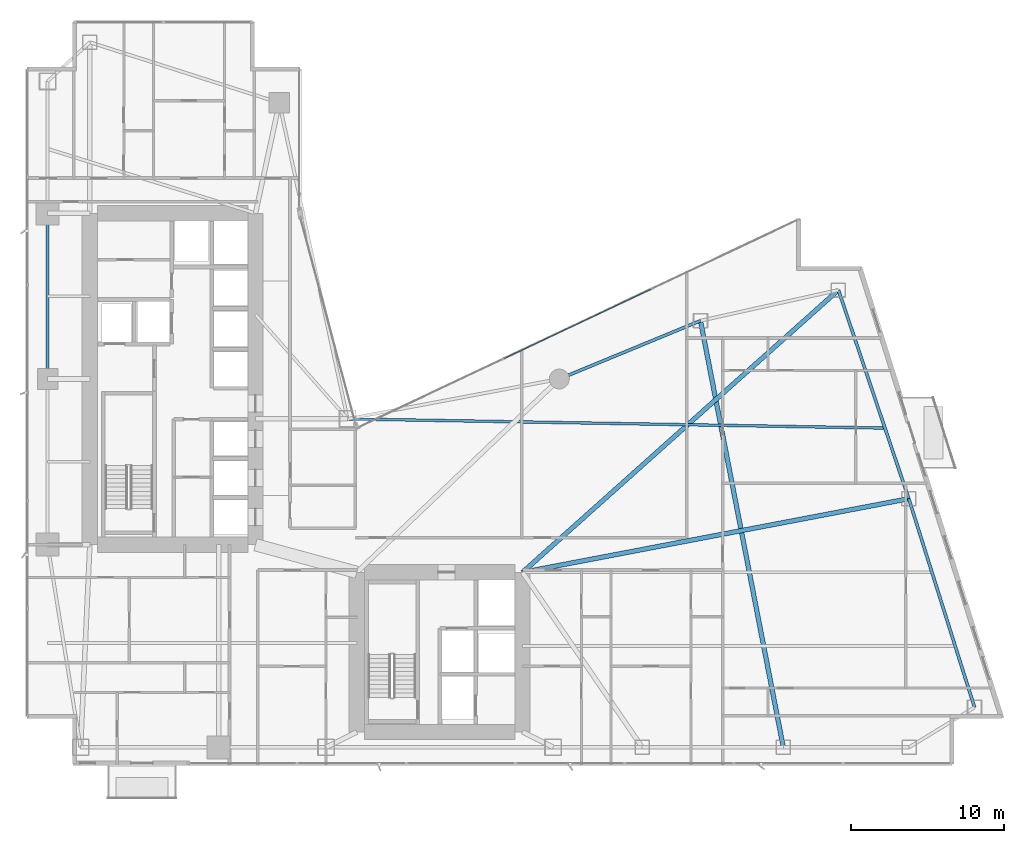
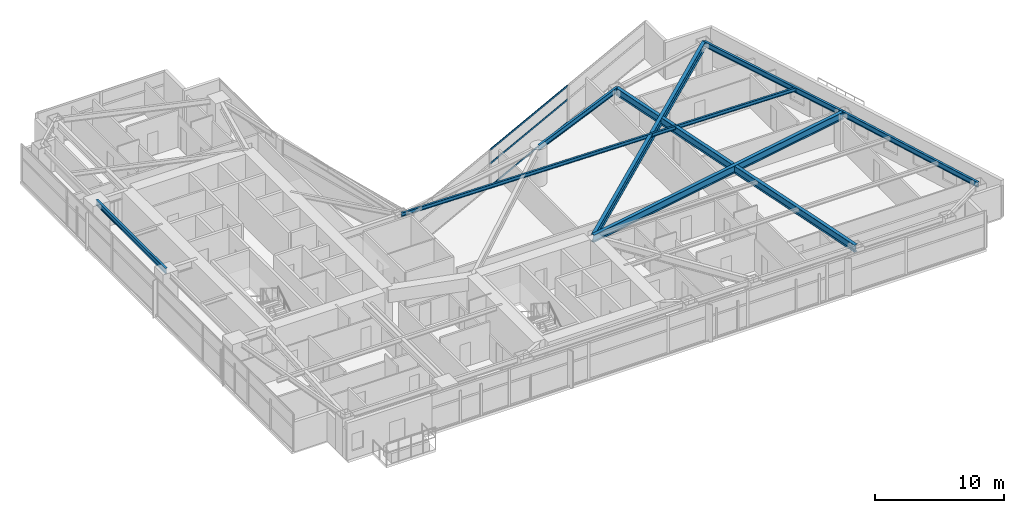
# One storey, part 14 of 28: 8 beams, 3 members, 1 element without a shape of its own.
"""IFC4 building model written with IfcOpenShell, lengths in metres."""

from ifc_helpers import new_model, si_unit, direction, frame, origin, origin_2d, place, context, subcontext, project, spatial, hollow_rectangle, i_section, extrude, material, layer, layer_set, material_profile, profile_set, type_object, element, aggregate, save


model = new_model("IFC4")

# Units and contexts
model_context = context("Model", 3, precision=1e-05, world=origin(), true_north=direction((0.0, 1.0)))
body_context = subcontext(model_context, "Body", "Model", "MODEL_VIEW")
ifc_project = project(units=[si_unit("LENGTHUNIT", "METRE"), si_unit("AREAUNIT", "SQUARE_METRE"), si_unit("VOLUMEUNIT", "CUBIC_METRE"), si_unit("PLANEANGLEUNIT", "RADIAN"), si_unit("MASSUNIT", "GRAM", prefix="KILO")], contexts=[model_context])

# Site, building, storey
site_placement = place(None, origin())
site = spatial("IfcSite", under=ifc_project, at=site_placement, CompositionType="ELEMENT")
building_placement = place(site_placement, origin())
building = spatial("IfcBuilding", under=site, at=building_placement, Name="Calvorn Quay Hotel", CompositionType="ELEMENT")
storey_placement = place(building_placement, frame((0.0, 0.0, 88.800048828125)))
storey = spatial("IfcBuildingStorey", under=building, at=storey_placement, Name="L21", CompositionType="ELEMENT", Elevation=88.800048828125)

# Beams
ifc_material_1 = material(Name="Steel Q390GJC", Category="steel")
ifc_material_profile_1 = material_profile(ifc_material_1, i_section(OverallWidth=0.300048828125, OverallDepth=0.699951171875, WebThickness=0.012939453125, FlangeThickness=0.02392578125, FilletRadius=0.02392578125, at=origin_2d()), Name="HN700x300x13x24")
ifc_profile_set_1 = profile_set([ifc_material_profile_1], Name="Steel Q390GJC")
beam_type_1 = type_object("IfcBeamType", Name="BM-GIRD-MAIN", PredefinedType="BEAM", material=ifc_profile_set_1)
beam_1_placement = place(storey_placement, frame((32.39990234375, 15.0, 3.169921875), z_axis=(0.982305450614, 0.18728588226, 0.0), x_axis=(-0.18728588226, 0.982305450614, 0.0)))
element("IfcBeam", 1, at=beam_1_placement, inside=storey, type_object=beam_type_1, Name="Beam BG-L21-E2", PredefinedType="BEAM", context=body_context, shape_type="SweptSolid", body=[
    extrude(i_section(OverallWidth=0.300048828125, OverallDepth=0.699951171875, WebThickness=0.012939453125, FlangeThickness=0.02392578125, FilletRadius=0.02392578125, at=origin_2d()), origin(), (0.0, 0.0, 1.0), 25.629638671875),
])
beam_2_placement = place(storey_placement, frame((32.39990234375, 15.0, 3.169921875), z_axis=(0.745667316004, 0.666318432766, 0.0), x_axis=(-0.666318432766, 0.745667316004, 0.0)))
element("IfcBeam", 2, at=beam_2_placement, inside=storey, type_object=beam_type_1, Name="Beam BG-L21-E3", PredefinedType="BEAM", context=body_context, shape_type="SweptSolid", body=[
    extrude(i_section(OverallWidth=0.300048828125, OverallDepth=0.699951171875, WebThickness=0.012939453125, FlangeThickness=0.02392578125, FilletRadius=0.02392578125, at=origin_2d()), origin(), (0.0, 0.0, 1.0), 27.6142578125),
])
beam_3_placement = place(storey_placement, frame((49.39990234375, 3.60009765625, 3.169921875), z_axis=(-0.190678596862, 0.981652521363, 0.0), x_axis=(-0.981652521363, -0.190678596862, 0.0)))
element("IfcBeam", 3, at=beam_3_placement, inside=storey, type_object=beam_type_1, Name="Beam BG-L21-E5", PredefinedType="BEAM", context=body_context, shape_type="SweptSolid", body=[
    extrude(i_section(OverallWidth=0.300048828125, OverallDepth=0.699951171875, WebThickness=0.012939453125, FlangeThickness=0.02392578125, FilletRadius=0.02392578125, at=origin_2d()), origin(), (0.0, 0.0, 1.0), 28.3193359375),
])
ifc_material_2 = material(Name="Steel Q355B", Category="steel")
ifc_material_profile_2 = material_profile(ifc_material_2, i_section(OverallWidth=0.175048828125, OverallDepth=0.35009765625, WebThickness=0.007080078125, FlangeThickness=0.010986328125, FilletRadius=0.013916015625, at=origin_2d()), Name="HN350x175x7x11")
ifc_profile_set_2 = profile_set([ifc_material_profile_2], Name="Steel Q355B")
beam_type_2 = type_object("IfcBeamType", Name="BM-JOIST-SEC", PredefinedType="JOIST", material=ifc_profile_set_2)
beam_4_placement = place(storey_placement, frame((21.0, 25.0, 3.344970703125), z_axis=(0.999854105858, -0.017081188436, 0.0), x_axis=(0.017081188436, 0.999854105858, 0.0)))
element("IfcBeam", 4, at=beam_4_placement, inside=storey, type_object=beam_type_2, Name="Beam BJ-L21-E3", PredefinedType="JOIST", context=body_context, shape_type="SweptSolid", body=[
    extrude(i_section(OverallWidth=0.175048828125, OverallDepth=0.35009765625, WebThickness=0.007080078125, FlangeThickness=0.010986328125, FilletRadius=0.013916015625, at=origin_2d()), origin(), (0.0, 0.0, 1.0), 35.132080078125),
])
ifc_material_3 = material(Name="Steel Q355B", Category="steel")
ifc_material_profile_3 = material_profile(ifc_material_3, i_section(OverallWidth=0.199951171875, OverallDepth=0.5, WebThickness=0.010009765625, FlangeThickness=0.01611328125, FilletRadius=0.01611328125, at=origin_2d()), Name="HN500x200x10x16")
ifc_profile_set_3 = profile_set([ifc_material_profile_3], Name="Steel Q355B")
beam_type_3 = type_object("IfcBeamType", Name="BM-SPANDREL-Z1", PredefinedType="SPANDREL", material=ifc_profile_set_3)
beam_5_placement = place(storey_placement, frame((1.449951171875, 27.60009765625, 3.27001953125), z_axis=(0.0, 1.0, 0.0), x_axis=(-1.0, 0.0, 0.0)))
element("IfcBeam", 5, at=beam_5_placement, inside=storey, type_object=beam_type_3, Name="Beam BSP-L21-W3", PredefinedType="SPANDREL", context=body_context, shape_type="SweptSolid", body=[
    extrude(i_section(OverallWidth=0.199951171875, OverallDepth=0.5, WebThickness=0.010009765625, FlangeThickness=0.01611328125, FilletRadius=0.01611328125, at=origin_2d()), origin(), (0.0, 0.0, 1.0), 10.7998046875),
])
beam_6_placement = place(storey_placement, frame((61.861083984375, 6.199951171875, 3.27001953125), z_axis=(-0.300518378216, 0.953776024208, 0.0), x_axis=(-0.953776024208, -0.300518378216, 0.0)))
element("IfcBeam", 6, at=beam_6_placement, inside=storey, type_object=beam_type_3, Name="Beam BSP-L21-E1", PredefinedType="SPANDREL", context=body_context, shape_type="SweptSolid", body=[
    extrude(i_section(OverallWidth=0.199951171875, OverallDepth=0.5, WebThickness=0.010009765625, FlangeThickness=0.01611328125, FilletRadius=0.01611328125, at=origin_2d()), origin(), (0.0, 0.0, 1.0), 14.25927734375),
])
beam_7_placement = place(storey_placement, frame((57.575927734375, 19.800048828125, 3.27001953125), z_axis=(-0.319466515944, 0.947597564998, 0.0), x_axis=(-0.947597564998, -0.319466515944, 0.0)))
element("IfcBeam", 7, at=beam_7_placement, inside=storey, type_object=beam_type_3, Name="Beam BSP-L21-E2", PredefinedType="SPANDREL", context=body_context, shape_type="SweptSolid", body=[
    extrude(i_section(OverallWidth=0.199951171875, OverallDepth=0.5, WebThickness=0.010009765625, FlangeThickness=0.01611328125, FilletRadius=0.01611328125, at=origin_2d()), origin(), (0.0, 0.0, 1.0), 14.35205078125),
])
beam_8_placement = place(storey_placement, frame((44.0, 31.39990234375, 3.27001953125), z_axis=(-0.92426763497, -0.381745123017, 0.0), x_axis=(0.381745123017, -0.92426763497, 0.0)))
element("IfcBeam", 8, at=beam_8_placement, inside=storey, type_object=beam_type_3, Name="Beam BSP-L21-E4", PredefinedType="SPANDREL", context=body_context, shape_type="SweptSolid", body=[
    extrude(i_section(OverallWidth=0.199951171875, OverallDepth=0.5, WebThickness=0.010009765625, FlangeThickness=0.01611328125, FilletRadius=0.01611328125, at=origin_2d()), origin(), (0.0, 0.0, 1.0), 9.953857421875),
])

# Curtain wall, members
ifc_material_4 = material(Name="Pale Anodised Aluminium and Low-E Glass", Category="aluminium")
ifc_layer = layer(ifc_material_4, 0.219970703125)
ifc_layer_set = layer_set([ifc_layer], Name="CW-SYS-Z1")
curtain_wall_type = type_object("IfcCurtainWallType", Name="CW-SYS-Z1", PredefinedType="NOTDEFINED", material=ifc_layer_set)
curtain_wall_placement = place(storey_placement, origin())
curtain_wall = element("IfcCurtainWall", 9, at=curtain_wall_placement, inside=storey, type_object=curtain_wall_type, Name="Inner Court Curtain Wall L21-NE1", PredefinedType="NOTDEFINED")
ifc_material_5 = material(Name="Pale Anodised Aluminium 6063-T6", Category="aluminium")
ifc_material_profile_4 = material_profile(ifc_material_5, hollow_rectangle(XDim=0.06494140625, YDim=0.1650390625, WallThickness=0.00341796875, at=origin_2d()), Name="ALU-T165x65x3.5")
ifc_profile_set_4 = profile_set([ifc_material_profile_4], Name="Pale Anodised Aluminium 6063-T6")
member_type = type_object("IfcMemberType", Name="CW-SYS-Z1-TRN", PredefinedType="USERDEFINED", material=ifc_profile_set_4)
member_1_placement = place(storey_placement, frame((40.77294921875, 33.453857421875, 0.030029296875), z_axis=(-0.904247654564, -0.427008406493, 0.0), x_axis=(0.427008406493, -0.904247654564, 0.0)))
member_1 = element("IfcMember", 10, at=member_1_placement, type_object=member_type, Name="CW-L21-NE1 transom 2.1", ObjectType="TRANSOM", PredefinedType="USERDEFINED", context=body_context, shape_type="SweptSolid", body=[
    extrude(hollow_rectangle(XDim=0.06494140625, YDim=0.1650390625, WallThickness=0.00341796875, at=origin_2d()), origin(), (0.0, 0.0, 1.0), 10.556640625),
])
member_2_placement = place(storey_placement, frame((40.77294921875, 33.453857421875, 2.199951171875), z_axis=(-0.904247654564, -0.427008406493, 0.0), x_axis=(0.427008406493, -0.904247654564, 0.0)))
member_2 = element("IfcMember", 11, at=member_2_placement, type_object=member_type, Name="CW-L21-NE1 transom 2.2", ObjectType="TRANSOM", PredefinedType="USERDEFINED", context=body_context, shape_type="SweptSolid", body=[
    extrude(hollow_rectangle(XDim=0.06494140625, YDim=0.1650390625, WallThickness=0.00341796875, at=origin_2d()), origin(), (0.0, 0.0, 1.0), 10.556640625),
])
member_3_placement = place(storey_placement, frame((40.77294921875, 33.453857421875, 3.489990234375), z_axis=(-0.904247654564, -0.427008406493, 0.0), x_axis=(0.427008406493, -0.904247654564, 0.0)))
member_3 = element("IfcMember", 12, at=member_3_placement, type_object=member_type, Name="CW-L21-NE1 transom 2.3", ObjectType="TRANSOM", PredefinedType="USERDEFINED", context=body_context, shape_type="SweptSolid", body=[
    extrude(hollow_rectangle(XDim=0.06494140625, YDim=0.1650390625, WallThickness=0.00341796875, at=origin_2d()), origin(), (0.0, 0.0, 1.0), 10.556640625),
])
aggregate(curtain_wall, [member_1, member_2, member_3])

save(model, "model.ifc")
